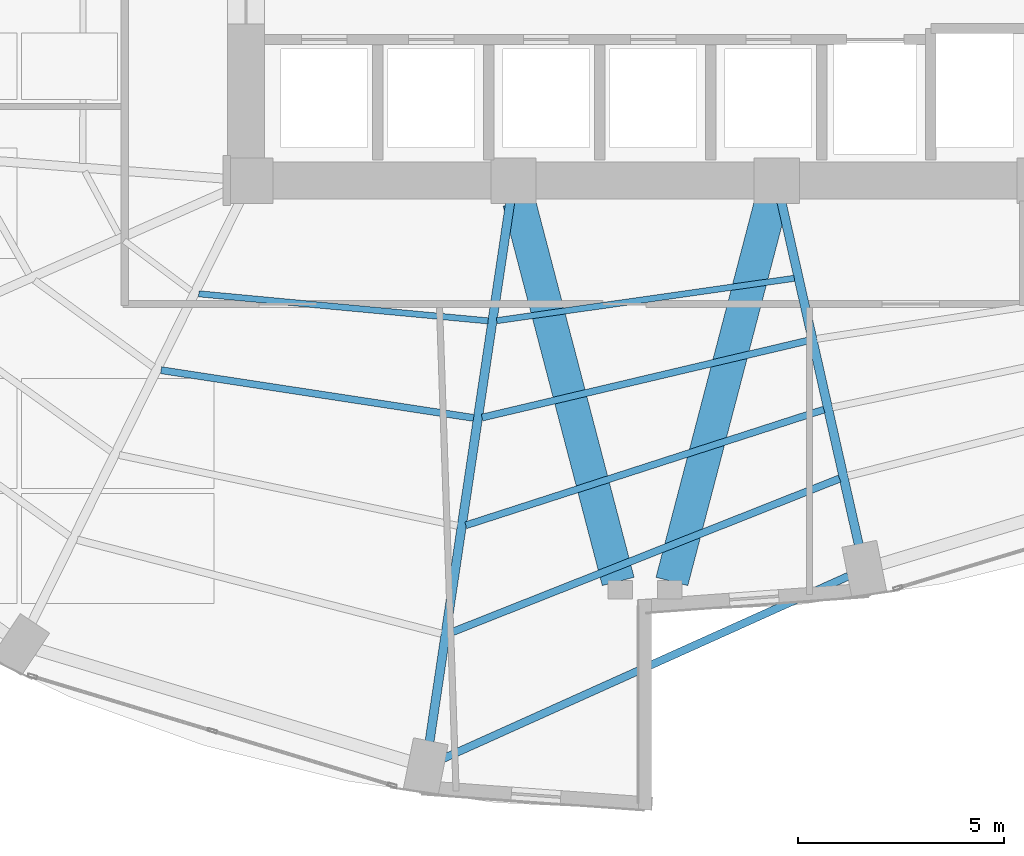
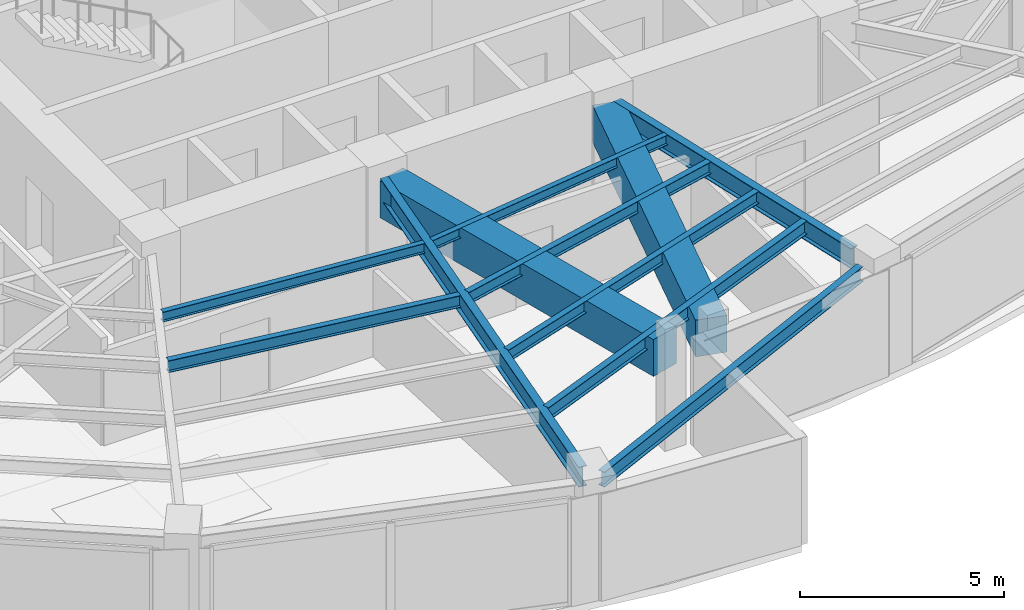
# One storey, part 6 of 24: 11 beams.
"""IFC4 building model written with IfcOpenShell, lengths in metres."""

import ifcopenshell
import ifcopenshell.guid

model = None  # the IFC model being written
_history = None  # IfcOwnerHistory: only IFC2X3 demands one
_inside = {}  # id of a spatial element -> (the spatial element, [elements in it])
_under = {}  # id of a project, library or spatial element -> (it, [spatial elements below it])
_declared = {}  # id of a project -> (the project, [libraries it declares])
_typed = {}  # id of a type object -> (the type object, [elements of that type])
_made_of = {}  # id of a material, layer set ... -> (it, [elements and type objects made of it])


def new_model(schema):
    """Start an empty IFC model of exactly this schema.

    Asked for "IFC4X3", IfcOpenShell would pick the latest addendum, in which some entities
    have other attributes; the version numbers below select the first issue.
    IFC2X3 requires an IfcOwnerHistory on every rooted entity: one is made here for all.
    """
    global model, _history
    if schema == "IFC4X3":
        model = ifcopenshell.file(schema_version=(4, 3, 0, 0))
    else:
        model = ifcopenshell.file(schema=schema)
    _inside.clear()
    _under.clear()
    _declared.clear()
    _typed.clear()
    _made_of.clear()
    _history = None
    if model.schema == "IFC2X3":
        org = make("IfcOrganization", Name="unknown")
        user = make(
            "IfcPersonAndOrganization",
            ThePerson=make("IfcPerson", FamilyName="unknown"),
            TheOrganization=org,
        )
        app = make(
            "IfcApplication",
            ApplicationDeveloper=org,
            Version="unknown",
            ApplicationFullName="unknown",
            ApplicationIdentifier="unknown",
        )
        _history = make(
            "IfcOwnerHistory",
            OwningUser=user,
            OwningApplication=app,
            ChangeAction="ADDED",
            CreationDate=0,
        )
    return model


def make(cls, **values):
    """One entity of the class cls with the attributes given. An attribute that is None is left unset."""
    return model.create_entity(
        cls, **{name: value for name, value in values.items() if value is not None}
    )


def rooted(cls, **values):
    """An entity with a GlobalId (a new one), such as an element, a storey or a relation."""
    return make(cls, GlobalId=ifcopenshell.guid.new(), OwnerHistory=_history, **values)


def si_unit(unit_type, name, prefix=None):
    """IfcSIUnit, for example si_unit("LENGTHUNIT", "METRE", prefix="MILLI")."""
    return make("IfcSIUnit", UnitType=unit_type, Prefix=prefix, Name=name)


def assignment(units):
    """IfcUnitAssignment: the units of a project."""
    return None if units is None else make("IfcUnitAssignment", Units=units)


def point(xyz):
    """IfcCartesianPoint."""
    return None if xyz is None else make("IfcCartesianPoint", Coordinates=xyz)


def direction(xyz):
    """IfcDirection."""
    return None if xyz is None else make("IfcDirection", DirectionRatios=xyz)


def frame(location, z_axis=None, x_axis=None):
    """IfcAxis2Placement3D, a coordinate frame: its origin and axes. An axis left out is left unset."""
    return make(
        "IfcAxis2Placement3D",
        Location=point(location),
        Axis=direction(z_axis),
        RefDirection=direction(x_axis),
    )


def frame_2d(location, x_axis=None):
    """IfcAxis2Placement2D, a coordinate frame in the plane: its origin and x axis."""
    return make(
        "IfcAxis2Placement2D", Location=point(location), RefDirection=direction(x_axis)
    )


def origin():
    """The frame at (0, 0, 0) with its axes left unset."""
    return frame((0.0, 0.0, 0.0))


def origin_2d():
    """The frame at (0, 0) in the plane with its x axis left unset."""
    return frame_2d((0.0, 0.0))


def place(relative_to, where):
    """IfcLocalPlacement: puts the frame where relative to a parent placement (None: the world)."""
    return make(
        "IfcLocalPlacement", PlacementRelTo=relative_to, RelativePlacement=where
    )


def context(
    kind, dimensions, precision=None, world=None, true_north=None, identifier=None
):
    """IfcGeometricRepresentationContext, for example the 3D "Model" context."""
    return make(
        "IfcGeometricRepresentationContext",
        ContextIdentifier=identifier,
        ContextType=kind,
        CoordinateSpaceDimension=dimensions,
        Precision=precision,
        WorldCoordinateSystem=world,
        TrueNorth=true_north,
    )


def subcontext(parent, identifier, kind, view, scale=None):
    """IfcGeometricRepresentationSubContext, for example "Body" below "Model"."""
    return make(
        "IfcGeometricRepresentationSubContext",
        ContextIdentifier=identifier,
        ContextType=kind,
        ParentContext=parent,
        TargetScale=scale,
        TargetView=view,
    )


def project(units=None, contexts=None):
    """IfcProject with its units and contexts."""
    return rooted(
        "IfcProject",
        Name="project",
        RepresentationContexts=contexts,
        UnitsInContext=assignment(units),
    )


def spatial(cls, under=None, at=None, **own):
    """A site, building, storey or space (cls), placed at a placement, below another one or the project."""
    s = rooted(cls, ObjectPlacement=at, **own)
    if under is not None:
        _under.setdefault(under.id(), (under, []))[1].append(s)
    return s


def profile(cls, at=None, kind="AREA", **sizes):
    """A parametric profile (cls). Its sizes go by their IFC names, for example OverallWidth=200.0."""
    return make(cls, ProfileType=kind, Position=at, **sizes)


def rectangle(**sizes):
    """IfcRectangleProfileDef."""
    return profile("IfcRectangleProfileDef", **sizes)


def i_section(**sizes):
    """IfcIShapeProfileDef."""
    return profile("IfcIShapeProfileDef", **sizes)


def extrude(swept, where, along, depth):
    """IfcExtrudedAreaSolid: the profile swept, set in the frame where, extruded along a direction by depth."""
    return make(
        "IfcExtrudedAreaSolid",
        SweptArea=swept,
        Position=where,
        ExtrudedDirection=direction(along),
        Depth=depth,
    )


def shape(context_of_items, identifier, shape_type, items):
    """IfcShapeRepresentation: the items that make up one representation, for example the "Body"."""
    return make(
        "IfcShapeRepresentation",
        ContextOfItems=context_of_items,
        RepresentationIdentifier=identifier,
        RepresentationType=shape_type,
        Items=items,
    )


def material(Name=None, Category=None):
    """IfcMaterial."""
    return make("IfcMaterial", Name=Name, Category=Category)


def material_profile(
    of_material, cross_section, Name=None, Category=None, Priority=None
):
    """IfcMaterialProfile: a cross section and its material."""
    return make(
        "IfcMaterialProfile",
        Name=Name,
        Material=of_material,
        Profile=cross_section,
        Priority=Priority,
        Category=Category,
    )


def profile_set(profiles, Name=None, composite=None):
    """IfcMaterialProfileSet."""
    return make(
        "IfcMaterialProfileSet",
        Name=Name,
        MaterialProfiles=profiles,
        CompositeProfile=composite,
    )


def made_of(thing, what):
    """Note that an element or type object is made of a material, layer set ...; save() writes the relation."""
    if what is not None:
        _made_of.setdefault(what.id(), (what, []))[1].append(thing)
    return thing


def type_object(cls, material=None, **own):
    """A type object (cls), such as IfcWallType, which elements share."""
    return made_of(rooted(cls, **own), material)


def element(
    cls,
    number,
    at=None,
    inside=None,
    cuts=None,
    type_object=None,
    material=None,
    context=None,
    identifier="Body",
    shape_type=None,
    held_by="IfcProductDefinitionShape",
    body=None,
    shapes=None,
    **own,
):
    """One element of the class cls, such as IfcWall. Its Tag is "e" and its number.

    at: its placement. inside: the storey or other place that contains it. cuts: it is an
    opening in that element (IfcRelVoidsElement). A single representation is given by context,
    identifier, shape_type and body (its items); several are given by shapes. held_by: the class
    of the entity that holds the representations. save() writes the other relations.
    """
    e = rooted(cls, Tag="e%d" % number, ObjectPlacement=at, **own)
    if body is not None:
        shapes = [shape(context, identifier, shape_type, body)]
    if shapes is not None:
        e.Representation = make(held_by, Representations=shapes)
    if inside is not None:
        _inside.setdefault(inside.id(), (inside, []))[1].append(e)
    if cuts is not None:
        rooted(
            "IfcRelVoidsElement", RelatingBuildingElement=cuts, RelatedOpeningElement=e
        )
    if type_object is not None:
        _typed.setdefault(type_object.id(), (type_object, []))[1].append(e)
    return made_of(e, material)


def aggregate(whole, parts):
    """IfcRelAggregates: a whole, such as a stair, and the parts it consists of."""
    return rooted("IfcRelAggregates", RelatingObject=whole, RelatedObjects=parts)


def save(model, path):
    """Write the relations noted so far, then the file.

    IfcRelAggregates (storeys below a building ...), IfcRelContainedInSpatialStructure (elements
    in a storey), IfcRelDefinesByType, IfcRelAssociatesMaterial and IfcRelDeclares: one each for
    every whole, place, type object, material and project.
    """
    for whole, parts in _under.values():
        aggregate(whole, parts)
    for where, things in _inside.values():
        rooted(
            "IfcRelContainedInSpatialStructure",
            RelatedElements=things,
            RelatingStructure=where,
        )
    for kind, things in _typed.values():
        rooted("IfcRelDefinesByType", RelatedObjects=things, RelatingType=kind)
    for what, things in _made_of.values():
        rooted("IfcRelAssociatesMaterial", RelatedObjects=things, RelatingMaterial=what)
    for by, libraries in _declared.values():
        rooted("IfcRelDeclares", RelatingContext=by, RelatedDefinitions=libraries)
    model.write(path)


model = new_model("IFC4")

# Units and contexts
model_context = context("Model", 3, precision=1e-05, world=origin(), true_north=direction((0.0, 1.0)))
body_context = subcontext(model_context, "Body", "Model", "MODEL_VIEW")
ifc_project = project(units=[si_unit("LENGTHUNIT", "METRE"), si_unit("AREAUNIT", "SQUARE_METRE"), si_unit("VOLUMEUNIT", "CUBIC_METRE"), si_unit("PLANEANGLEUNIT", "RADIAN"), si_unit("MASSUNIT", "GRAM", prefix="KILO")], contexts=[model_context])

# Site, building, storey
site_placement = place(None, origin())
site = spatial("IfcSite", under=ifc_project, at=site_placement, CompositionType="ELEMENT")
building_placement = place(site_placement, origin())
building = spatial("IfcBuilding", under=site, at=building_placement, Name="Lazwardi Medical Tower", CompositionType="ELEMENT")
storey_placement = place(building_placement, frame((0.0, 0.0, 72.6240234375)))
storey = spatial("IfcBuildingStorey", under=building, at=storey_placement, Name="L18", CompositionType="ELEMENT", Elevation=72.6240234375)

# Beams
ifc_material_1 = material(Name="Concrete C70/85", Category="concrete")
ifc_material_profile_1 = material_profile(ifc_material_1, rectangle(XDim=0.800048828125, YDim=1.10009765625, at=origin_2d()), Name="RC 800x1100")
ifc_profile_set_1 = profile_set([ifc_material_profile_1], Name="Concrete C70/85")
beam_type_1 = type_object("IfcBeamType", Name="BM-CB-RC1", PredefinedType="LINTEL", material=ifc_profile_set_1)
for number, where, z_axis, x_axis, name in (
    (1, (32.935302734375, 19.88232421875, 2.64794921875), (0.252819877511, -0.967513364009, 0.0), (0.967513364009, 0.252819877511, 0.0), "Core coupling lintel CB-01 PL3 L18"),
    (2, (39.064697265625, 19.88232421875, 2.64794921875), (-0.252819877511, -0.967513364009, 0.0), (0.967513364009, -0.252819877511, 0.0), "Core coupling lintel CB-01 PL4 L18"),
):
    element("IfcBeam", number, at=place(storey_placement, frame(where, z_axis=z_axis, x_axis=x_axis)), inside=storey, type_object=beam_type_1, Name=name, PredefinedType="LINTEL", context=body_context, shape_type="SweptSolid", body=[
        extrude(rectangle(XDim=0.800048828125, YDim=1.10009765625, at=origin_2d()), origin(), (0.0, 0.0, 1.0), 9.538818359375),
    ])
ifc_material_2 = material(Name="Steel S355", Category="steel")
ifc_material_profile_2 = material_profile(ifc_material_2, i_section(OverallWidth=0.219970703125, OverallDepth=0.60009765625, WebThickness=0.011962890625, FlangeThickness=0.01904296875, at=origin_2d()), Name="IPE 600")
ifc_profile_set_2 = profile_set([ifc_material_profile_2], Name="Steel S355")
beam_type_2 = type_object("IfcBeamType", Name="BM-RG-W1", PredefinedType="BEAM", material=ifc_profile_set_2)
beam_1_placement = place(storey_placement, frame((41.203125, 11.521728515625, 2.89794921875), z_axis=(-0.22010079219, 0.975477135189, 0.0), x_axis=(-0.975477135189, -0.22010079219, 0.0)))
element("IfcBeam", 3, at=beam_1_placement, inside=storey, type_object=beam_type_2, Name="Radial girder RG-02 R01 L18", PredefinedType="BEAM", context=body_context, shape_type="SweptSolid", body=[
    extrude(i_section(OverallWidth=0.219970703125, OverallDepth=0.60009765625, WebThickness=0.011962890625, FlangeThickness=0.01904296875, at=origin_2d()), origin(), (0.0, 0.0, 1.0), 8.56640625),
])
beam_2_placement = place(storey_placement, frame((30.7548828125, 6.7294921875, 2.89794921875), z_axis=(0.147944218183, 0.98899570692, 0.0), x_axis=(-0.98899570692, 0.147944218183, 0.0)))
element("IfcBeam", 4, at=beam_2_placement, inside=storey, type_object=beam_type_2, Name="Radial girder RG-02 R16 L18", PredefinedType="BEAM", context=body_context, shape_type="SweptSolid", body=[
    extrude(i_section(OverallWidth=0.219970703125, OverallDepth=0.60009765625, WebThickness=0.011962890625, FlangeThickness=0.01904296875, at=origin_2d()), origin(), (0.0, 0.0, 1.0), 13.28759765625),
])
ifc_material_profile_3 = material_profile(ifc_material_2, i_section(OverallWidth=0.179931640625, OverallDepth=0.39990234375, WebThickness=0.008544921875, FlangeThickness=0.013427734375, at=origin_2d()), Name="IPE 400")
ifc_profile_set_3 = profile_set([ifc_material_profile_3], Name="Steel S355")
beam_type_3 = type_object("IfcBeamType", Name="BM-SJ-01", PredefinedType="JOIST", material=ifc_profile_set_3)
beam_3_placement = place(storey_placement, frame((31.245849609375, 9.396484375, 2.998046875), z_axis=(0.929663713752, 0.368409255222, 0.0), x_axis=(-0.368409255222, 0.929663713752, 0.0)))
element("IfcBeam", 5, at=beam_3_placement, inside=storey, type_object=beam_type_3, Name="Secondary joist SJ-01 R1 B16 L18", PredefinedType="JOIST", context=body_context, shape_type="SweptSolid", body=[
    extrude(i_section(OverallWidth=0.179931640625, OverallDepth=0.39990234375, WebThickness=0.008544921875, FlangeThickness=0.013427734375, at=origin_2d()), origin(), (0.0, 0.0, 1.0), 10.2001953125),
])
ifc_material_profile_4 = material_profile(ifc_material_2, i_section(OverallWidth=0.169921875, OverallDepth=0.360107421875, WebThickness=0.008056640625, FlangeThickness=0.0126953125, at=origin_2d()), Name="IPE 360")
ifc_profile_set_4 = profile_set([ifc_material_profile_4], Name="Steel S355")
beam_type_4 = type_object("IfcBeamType", Name="BM-SJ-02", PredefinedType="JOIST", material=ifc_profile_set_4)
beam_4_placement = place(storey_placement, frame((31.64111328125, 12.018310546875, 3.01806640625), z_axis=(0.951558895485, 0.307466532199, 0.0), x_axis=(-0.307466532199, 0.951558895485, 0.0)))
element("IfcBeam", 6, at=beam_4_placement, inside=storey, type_object=beam_type_4, Name="Secondary joist SJ-02 R2 B16 L18", PredefinedType="JOIST", context=body_context, shape_type="SweptSolid", body=[
    extrude(i_section(OverallWidth=0.169921875, OverallDepth=0.360107421875, WebThickness=0.008056640625, FlangeThickness=0.0126953125, at=origin_2d()), origin(), (0.0, 0.0, 1.0), 9.1513671875),
])
beam_5_placement = place(storey_placement, frame((24.23193359375, 15.790771484375, 3.01806640625), z_axis=(0.988535611365, -0.150987897074, 0.0), x_axis=(0.150987897074, 0.988535611365, 0.0)))
element("IfcBeam", 7, at=beam_5_placement, inside=storey, type_object=beam_type_4, Name="Secondary joist SJ-02 R3 B15 L18", PredefinedType="JOIST", context=body_context, shape_type="SweptSolid", body=[
    extrude(i_section(OverallWidth=0.169921875, OverallDepth=0.360107421875, WebThickness=0.008056640625, FlangeThickness=0.0126953125, at=origin_2d()), origin(), (0.0, 0.0, 1.0), 7.68701171875),
])
beam_6_placement = place(storey_placement, frame((32.03662109375, 14.638427734375, 3.01806640625), z_axis=(0.973240904247, 0.229787167397, 0.0), x_axis=(-0.229787167397, 0.973240904247, 0.0)))
element("IfcBeam", 8, at=beam_6_placement, inside=storey, type_object=beam_type_4, Name="Secondary joist SJ-02 R3 B16 L18", PredefinedType="JOIST", context=body_context, shape_type="SweptSolid", body=[
    extrude(i_section(OverallWidth=0.169921875, OverallDepth=0.360107421875, WebThickness=0.008056640625, FlangeThickness=0.0126953125, at=origin_2d()), origin(), (0.0, 0.0, 1.0), 8.151123046875),
])
ifc_material_profile_5 = material_profile(ifc_material_2, i_section(OverallWidth=0.14990234375, OverallDepth=0.300048828125, WebThickness=0.007080078125, FlangeThickness=0.0107421875, at=origin_2d()), Name="IPE 300")
ifc_profile_set_5 = profile_set([ifc_material_profile_5], Name="Steel S355")
beam_type_5 = type_object("IfcBeamType", Name="BM-SJ-03", PredefinedType="JOIST", material=ifc_profile_set_5)
beam_7_placement = place(storey_placement, frame((25.148193359375, 17.64794921875, 3.048095703125), z_axis=(0.995649263748, -0.093180167407, 0.0), x_axis=(0.093180167407, 0.995649263748, 0.0)))
element("IfcBeam", 9, at=beam_7_placement, inside=storey, type_object=beam_type_5, Name="Secondary joist SJ-03 R4 B15 L18", PredefinedType="JOIST", context=body_context, shape_type="SweptSolid", body=[
    extrude(i_section(OverallWidth=0.14990234375, OverallDepth=0.300048828125, WebThickness=0.007080078125, FlangeThickness=0.0107421875, at=origin_2d()), origin(), (0.0, 0.0, 1.0), 7.06640625),
])
beam_8_placement = place(storey_placement, frame((32.392333984375, 16.99462890625, 3.048095703125), z_axis=(0.99001552228, 0.140958382672, 0.0), x_axis=(-0.140958382672, 0.99001552228, 0.0)))
element("IfcBeam", 10, at=beam_8_placement, inside=storey, type_object=beam_type_5, Name="Secondary joist SJ-03 R4 B16 L18", PredefinedType="JOIST", context=body_context, shape_type="SweptSolid", body=[
    extrude(i_section(OverallWidth=0.14990234375, OverallDepth=0.300048828125, WebThickness=0.007080078125, FlangeThickness=0.0107421875, at=origin_2d()), origin(), (0.0, 0.0, 1.0), 7.30908203125),
])
ifc_material_profile_6 = material_profile(ifc_material_2, i_section(OverallWidth=0.18994140625, OverallDepth=0.449951171875, WebThickness=0.009521484375, FlangeThickness=0.0146484375, at=origin_2d()), Name="IPE 450")
ifc_profile_set_6 = profile_set([ifc_material_profile_6], Name="Steel S355")
beam_type_6 = type_object("IfcBeamType", Name="BM-SP-01", PredefinedType="SPANDREL", material=ifc_profile_set_6)
beam_9_placement = place(storey_placement, frame((31.05224609375, 6.328369140625, 2.972900390625), z_axis=(0.91184908894, 0.410525564368, 0.0), x_axis=(-0.410525564368, 0.91184908894, 0.0)))
element("IfcBeam", 11, at=beam_9_placement, inside=storey, type_object=beam_type_6, Name="Spandrel beam SP-01 B16 L18", PredefinedType="SPANDREL", context=body_context, shape_type="SweptSolid", body=[
    extrude(i_section(OverallWidth=0.18994140625, OverallDepth=0.449951171875, WebThickness=0.009521484375, FlangeThickness=0.0146484375, at=origin_2d()), origin(), (0.0, 0.0, 1.0), 10.85205078125),
])

save(model, "model.ifc")
